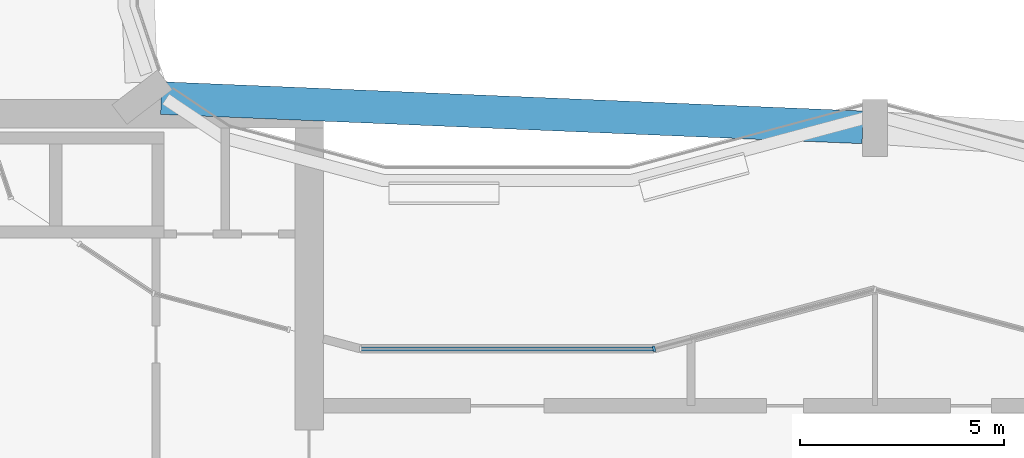
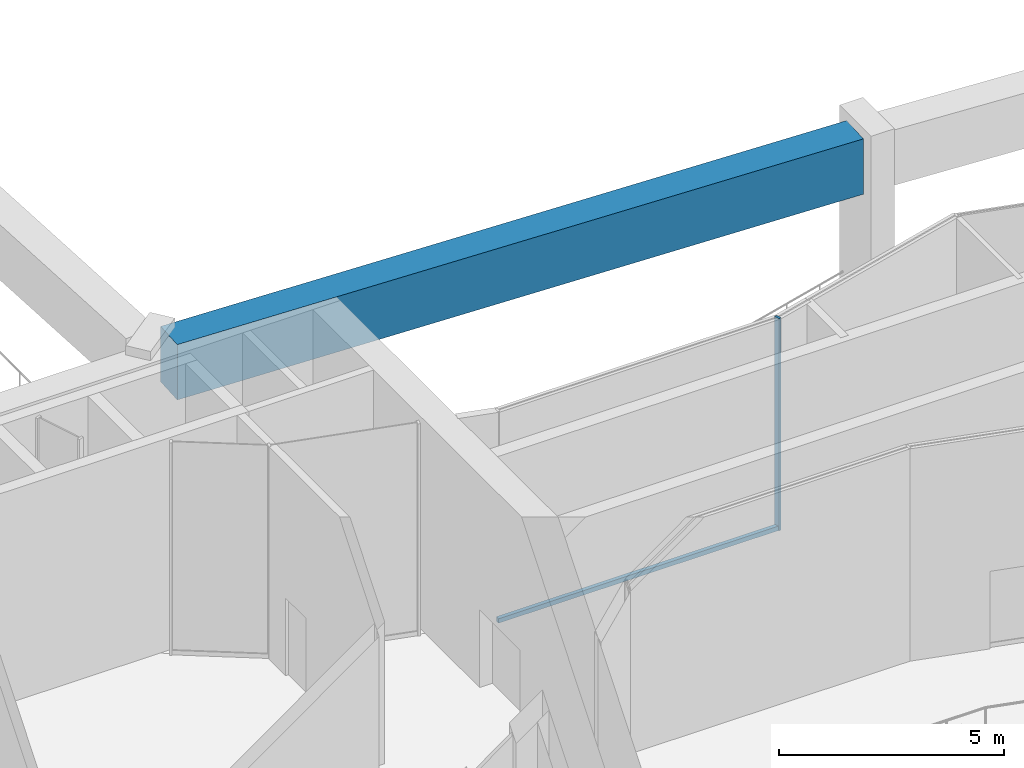
# One storey, part 4 of 24: 2 members, 1 beam, 2 elements without a shape of their own.
"""IFC4 building model written with IfcOpenShell, lengths in metres."""

from ifc_helpers import new_model, si_unit, direction, frame, origin, origin_2d, place, context, subcontext, project, spatial, rectangle, extrude, material, layer, layer_set, material_profile, profile_set, type_object, element, aggregate, save


model = new_model("IFC4")

# Units and contexts
model_context = context("Model", 3, precision=1e-05, world=origin(), true_north=direction((0.0, 1.0)))
body_context = subcontext(model_context, "Body", "Model", "MODEL_VIEW")
ifc_project = project(units=[si_unit("LENGTHUNIT", "METRE"), si_unit("AREAUNIT", "SQUARE_METRE"), si_unit("VOLUMEUNIT", "CUBIC_METRE"), si_unit("PLANEANGLEUNIT", "RADIAN"), si_unit("MASSUNIT", "GRAM", prefix="KILO")], contexts=[model_context])

# Site, building, storey
site_placement = place(None, origin())
site = spatial("IfcSite", under=ifc_project, at=site_placement, CompositionType="ELEMENT")
building_placement = place(site_placement, origin())
building = spatial("IfcBuilding", under=site, at=building_placement, Name="Plateau Cross Towers", CompositionType="ELEMENT")
storey_placement = place(building_placement, frame((0.0, 0.0, 72.300048828125)))
storey = spatial("IfcBuildingStorey", under=building, at=storey_placement, Name="L18", CompositionType="ELEMENT", Elevation=72.300048828125)

# Beam
ifc_material_1 = material(Name="Concrete C60/75", Category="concrete")
ifc_material_profile_1 = material_profile(ifc_material_1, rectangle(XDim=0.800048828125, YDim=1.5, at=origin_2d()), Name="RC 800x1500")
ifc_profile_set_1 = profile_set([ifc_material_profile_1], Name="Concrete C60/75")
beam_type = type_object("IfcBeamType", Name="Belt beam RC 800x1500", PredefinedType="BEAM", material=ifc_profile_set_1)
beam_placement = place(storey_placement, frame((35.699951171875, 17.3125, 5.0), z_axis=(-0.999127746059, 0.041758197464, 0.0), x_axis=(-0.041758197464, -0.999127746059, 0.0)))
element("IfcBeam", 1, at=beam_placement, inside=storey, type_object=beam_type, Name="BELT-L18-05", PredefinedType="BEAM", context=body_context, shape_type="SweptSolid", body=[
    extrude(rectangle(XDim=0.800048828125, YDim=1.5, at=origin_2d()), origin(), (0.0, 0.0, 1.0), 17.182861328125),
])

# Curtain wall, member
ifc_material_2 = material(Name="Dark low-iron glass", Category="glass")
ifc_layer = layer(ifc_material_2, 0.239990234375)
ifc_layer_set = layer_set([ifc_layer], Name="Dark low-iron glass")
curtain_wall_type = type_object("IfcCurtainWallType", Name="Curtain wall flush unitised CW-B", PredefinedType="NOTDEFINED", material=ifc_layer_set)
curtain_wall_1_placement = place(storey_placement, origin())
curtain_wall_1 = element("IfcCurtainWall", 2, at=curtain_wall_1_placement, inside=storey, type_object=curtain_wall_type, Name="ENV/A/L18/inner0_306_119", PredefinedType="NOTDEFINED")
ifc_material_3 = material(Name="Black anodised aluminium", Category="aluminium")
ifc_material_profile_2 = material_profile(ifc_material_3, rectangle(XDim=0.06005859375, YDim=0.139892578125, at=origin_2d()), Name="MULLION 60x140")
ifc_profile_set_2 = profile_set([ifc_material_profile_2], Name="Black anodised aluminium")
member_type_1 = type_object("IfcMemberType", Name="Mullion 60x140 flush unitised", PredefinedType="MULLION", material=ifc_profile_set_2)
member_1_placement = place(storey_placement, frame((30.592041015625, 11.89306640625, 0.0), z_axis=(0.0, 0.0, 1.0), x_axis=(0.965957983404, 0.258699003279, 0.0)))
member_1 = element("IfcMember", 3, at=member_1_placement, type_object=member_type_1, Name="CW-B mullion 1", PredefinedType="MULLION", context=body_context, shape_type="SweptSolid", body=[
    extrude(rectangle(XDim=0.06005859375, YDim=0.139892578125, at=origin_2d()), origin(), (0.0, 0.0, 1.0), 5.75),
])
aggregate(curtain_wall_1, [member_1])

curtain_wall_2_placement = place(storey_placement, origin())
curtain_wall_2 = element("IfcCurtainWall", 4, at=curtain_wall_2_placement, inside=storey, type_object=curtain_wall_type, Name="ENV/A/L18/inner0_234_119", PredefinedType="NOTDEFINED")
ifc_material_profile_3 = material_profile(ifc_material_3, rectangle(XDim=0.10009765625, YDim=0.1201171875, at=origin_2d()), Name="TRANSOM 100x120")
ifc_profile_set_3 = profile_set([ifc_material_profile_3], Name="Black anodised aluminium")
member_type_2 = type_object("IfcMemberType", Name="Transom 100x120 flush unitised", PredefinedType="USERDEFINED", material=ifc_profile_set_3)
member_2_placement = place(storey_placement, frame((23.407958984375, 11.89306640625, 0.06005859375), z_axis=(1.0, 0.0, 0.0), x_axis=(0.0, 1.0, 0.0)))
member_2 = element("IfcMember", 5, at=member_2_placement, type_object=member_type_2, Name="CW-B transom", ObjectType="TRANSOM", PredefinedType="USERDEFINED", context=body_context, shape_type="SweptSolid", body=[
    extrude(rectangle(XDim=0.10009765625, YDim=0.1201171875, at=origin_2d()), origin(), (0.0, 0.0, 1.0), 7.18408203125),
])
aggregate(curtain_wall_2, [member_2])

save(model, "model.ifc")
